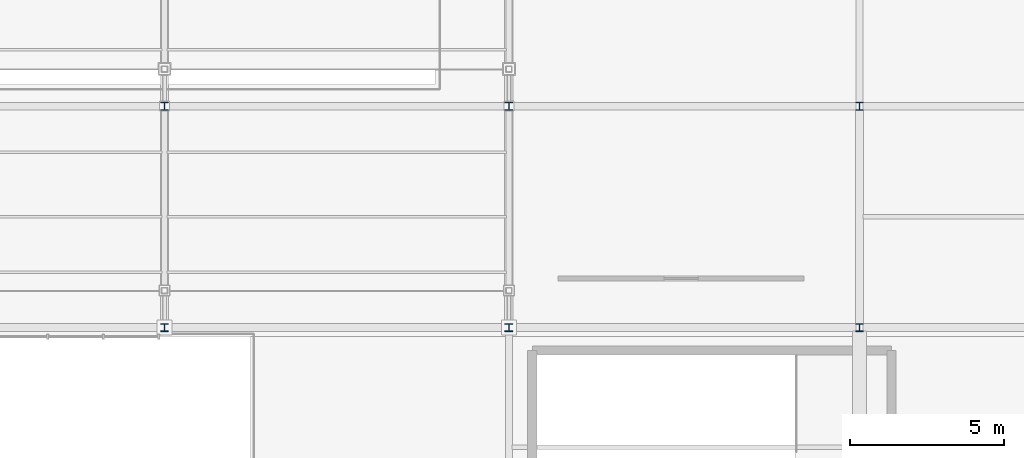
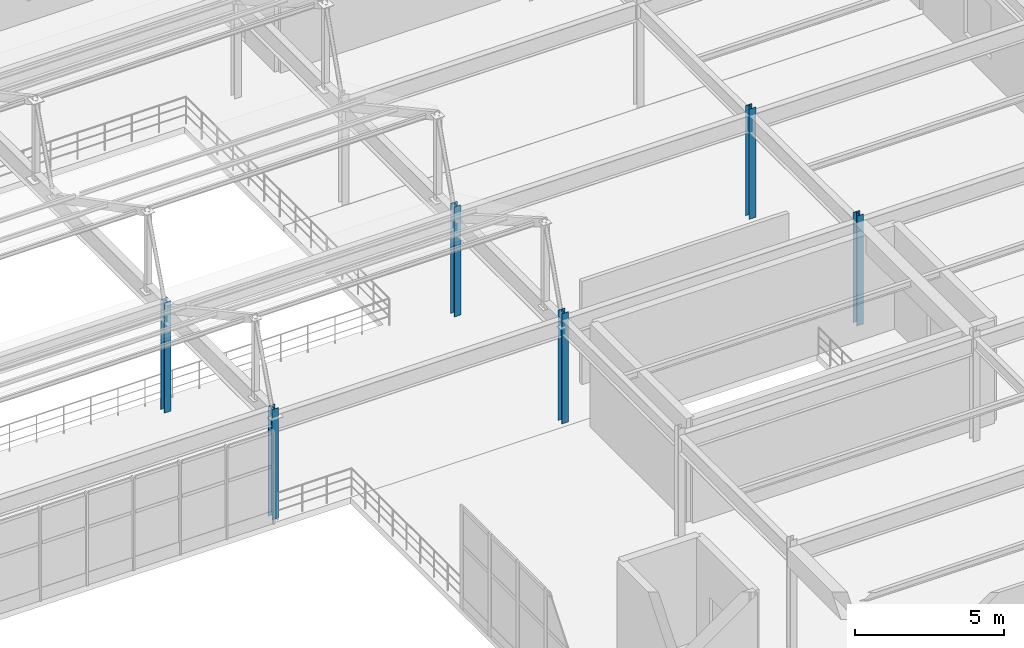
# One storey, part 20 of 112: 6 columns.
"""IFC4 building model written with IfcOpenShell, lengths in metres."""

from ifc_helpers import new_model, si_unit, direction, frame, origin, origin_2d, place, context, subcontext, project, spatial, i_section, extrude, material, material_profile, profile_set, type_object, element, save


model = new_model("IFC4")

# Units and contexts
model_context = context("Model", 3, precision=1e-05, world=origin(), true_north=direction((0.0, 1.0)))
body_context = subcontext(model_context, "Body", "Model", "MODEL_VIEW")
ifc_project = project(units=[si_unit("LENGTHUNIT", "METRE"), si_unit("AREAUNIT", "SQUARE_METRE"), si_unit("VOLUMEUNIT", "CUBIC_METRE"), si_unit("PLANEANGLEUNIT", "RADIAN"), si_unit("MASSUNIT", "GRAM", prefix="KILO")], contexts=[model_context])

# Site, building, storey
site_placement = place(None, origin())
site = spatial("IfcSite", under=ifc_project, at=site_placement, CompositionType="ELEMENT")
building_placement = place(site_placement, origin())
building = spatial("IfcBuilding", under=site, at=building_placement, Name="Cinderbank Siding Concert Hall", CompositionType="ELEMENT")
storey_placement = place(building_placement, frame((0.0, 0.0, 10.199951171875)))
storey = spatial("IfcBuildingStorey", under=building, at=storey_placement, Name="L03", CompositionType="ELEMENT", Elevation=10.199951171875)

# Columns
ifc_material = material(Name="Structural steel AS/NZS 3679.1 Grade 350 (340 MPa)", Category="steel")
ifc_material_profile = material_profile(ifc_material, i_section(OverallWidth=0.256103515625, OverallDepth=0.260009765625, WebThickness=0.010498046875, FlangeThickness=0.017333984375, at=origin_2d()), Name="250UC89.5", Category="LoadBearing")
ifc_profile_set = profile_set([ifc_material_profile], Name="Structural steel AS/NZS 3679.1 Grade 350 (340 MPa)")
column_type = type_object("IfcColumnType", Name="C-UC250H 250UC89.5", PredefinedType="COLUMN", material=ifc_profile_set)
for number, where, z_axis, x_axis, name in (
    (1, (139.199951171875, 88.60009765625, 0.0), (0.0, 0.0, 1.0), (1.0, 0.0, 0.0), "L03 Column COL-V3-3-1"),
    (2, (139.199951171875, 95.800048828125, 0.0), (0.0, 0.0, 1.0), (1.0, 0.0, 0.0), "L03 Column COL-V3-3-2"),
    (3, (150.39990234375, 88.60009765625, 0.0), (0.0, 0.0, 1.0), (1.0, 0.0, 0.0), "L03 Column COL-V3-4-1"),
    (4, (150.39990234375, 95.800048828125, 0.0), (0.0, 0.0, 1.0), (1.0, 0.0, 0.0), "L03 Column COL-V3-4-2"),
    (5, (161.800048828125, 88.60009765625, 0.0), (0.0, 0.0, 1.0), (1.0, 0.0, 0.0), "L03 Column COL-V3-5-1"),
    (6, (161.800048828125, 95.800048828125, 0.0), (0.0, 0.0, 1.0), (1.0, 0.0, 0.0), "L03 Column COL-V3-5-2"),
):
    element("IfcColumn", number, at=place(storey_placement, frame(where, z_axis=z_axis, x_axis=x_axis)), inside=storey, type_object=column_type, Name=name, PredefinedType="COLUMN", context=body_context, shape_type="SweptSolid", body=[
        extrude(i_section(OverallWidth=0.256103515625, OverallDepth=0.260009765625, WebThickness=0.010498046875, FlangeThickness=0.017333984375, at=origin_2d()), origin(), (0.0, 0.0, 1.0), 4.5),
    ])

save(model, "model.ifc")
